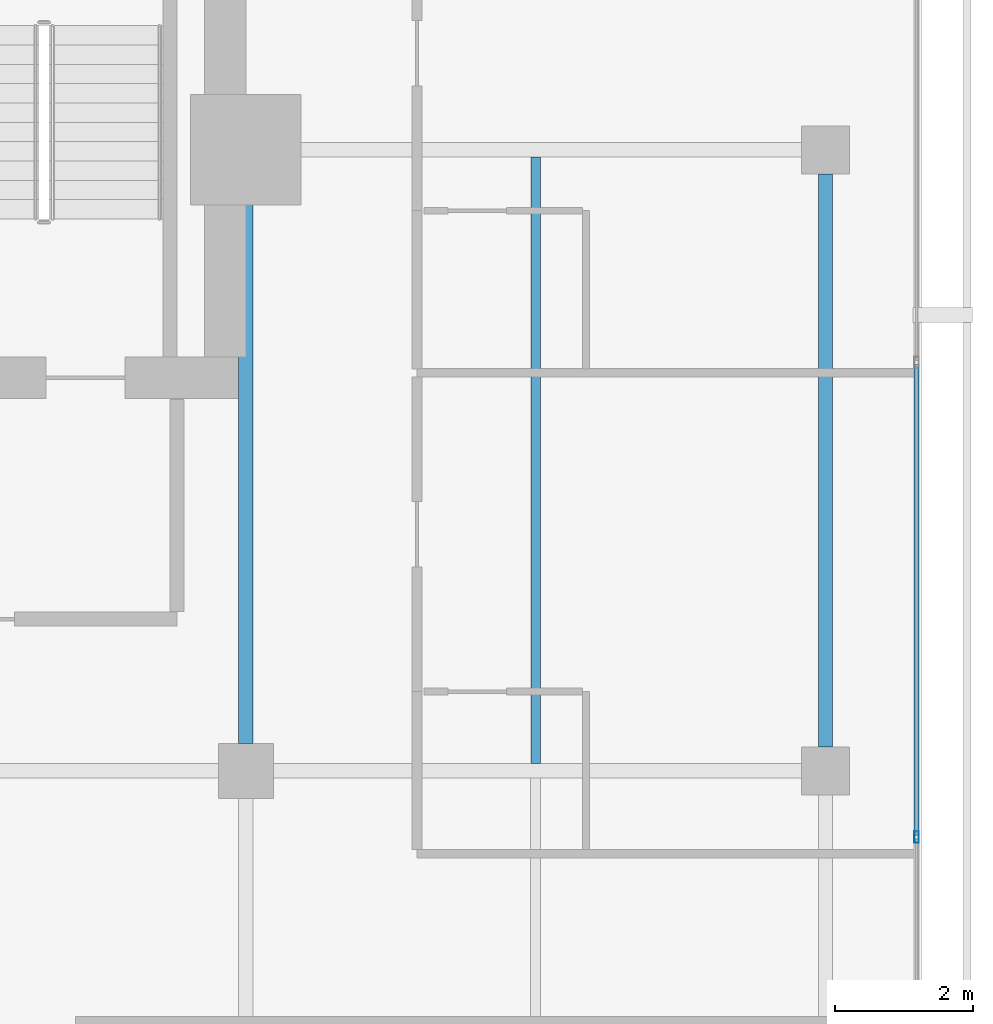
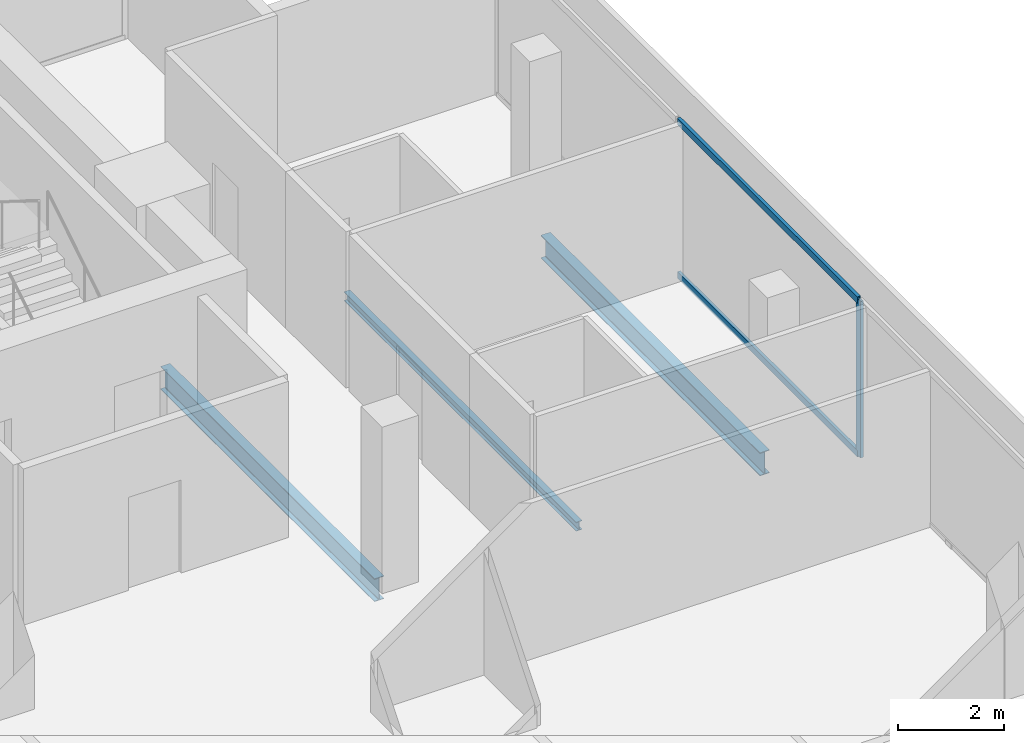
# One storey, part 15 of 26: 3 beams, 3 members, 1 element without a shape of its own.
"""IFC4 building model written with IfcOpenShell, lengths in metres."""

from ifc_helpers import new_model, si_unit, direction, frame, origin, origin_2d, place, context, subcontext, project, spatial, hollow_rectangle, i_section, extrude, material, layer, layer_set, material_profile, profile_set, type_object, element, aggregate, save


model = new_model("IFC4")

# Units and contexts
model_context = context("Model", 3, precision=1e-05, world=origin(), true_north=direction((0.0, 1.0)))
body_context = subcontext(model_context, "Body", "Model", "MODEL_VIEW")
ifc_project = project(units=[si_unit("LENGTHUNIT", "METRE"), si_unit("AREAUNIT", "SQUARE_METRE"), si_unit("VOLUMEUNIT", "CUBIC_METRE"), si_unit("PLANEANGLEUNIT", "RADIAN"), si_unit("MASSUNIT", "GRAM", prefix="KILO")], contexts=[model_context])

# Site, building, storey
site_placement = place(None, origin())
site = spatial("IfcSite", under=ifc_project, at=site_placement, CompositionType="ELEMENT")
building_placement = place(site_placement, origin())
building = spatial("IfcBuilding", under=site, at=building_placement, Name="Maruvema Waterfront Hotel and Observation Tower", CompositionType="ELEMENT")
storey_placement = place(building_placement, frame((0.0, 0.0, 243.25)))
storey = spatial("IfcBuildingStorey", under=building, at=storey_placement, Name="L59", CompositionType="ELEMENT", Elevation=243.25)

# Curtain wall, members
ifc_material_1 = material(Name="Anodised bronze aluminium and solar-control low-E IGU", Category="aluminium")
ifc_layer = layer(ifc_material_1, 0.159912109375, Name="Zone 3 Champagne Inner Thermal Curtain Wall System CW-04")
ifc_layer_set = layer_set([ifc_layer], Name="Anodised bronze aluminium and solar-control low-E IGU")
curtain_wall_type = type_object("IfcCurtainWallType", Name="Zone 3 Champagne Inner Thermal Curtain Wall System CW-04", PredefinedType="USERDEFINED", material=ifc_layer_set)
curtain_wall_placement = place(storey_placement, origin())
curtain_wall = element("IfcCurtainWall", 1, at=curtain_wall_placement, inside=storey, type_object=curtain_wall_type, Name="L59 Curtain Wall CW-L59-E", ObjectType="UNITISED CURTAIN WALL", PredefinedType="USERDEFINED")
ifc_material_2 = material(Name="Anodised architectural bronze aluminium", Category="aluminium")
ifc_material_profile_1 = material_profile(ifc_material_2, hollow_rectangle(XDim=0.070068359375, YDim=0.14990234375, WallThickness=0.00390625, at=origin_2d()), Name="ALU-T70x150")
ifc_profile_set_1 = profile_set([ifc_material_profile_1], Name="Anodised architectural bronze aluminium")
member_type_1 = type_object("IfcMemberType", Name="Curtain Wall Horizontal Transom ALU-T70x150", PredefinedType="USERDEFINED", material=ifc_profile_set_1)
member_1_placement = place(storey_placement, frame((60.1201171875, 35.070068359375, 0.030029296875), z_axis=(0.0, 1.0, 0.0), x_axis=(-1.0, 0.0, 0.0)))
member_1 = element("IfcMember", 2, at=member_1_placement, type_object=member_type_1, Name="CW-04 transom 4.1", ObjectType="TRANSOM", PredefinedType="USERDEFINED", context=body_context, shape_type="SweptSolid", body=[
    extrude(hollow_rectangle(XDim=0.070068359375, YDim=0.14990234375, WallThickness=0.00390625, at=origin_2d()), origin(), (0.0, 0.0, 1.0), 6.81982421875),
])
member_2_placement = place(storey_placement, frame((60.1201171875, 35.070068359375, 3.580078125), z_axis=(0.0, 1.0, 0.0), x_axis=(-1.0, 0.0, 0.0)))
member_2 = element("IfcMember", 3, at=member_2_placement, type_object=member_type_1, Name="CW-04 transom 4.2", ObjectType="TRANSOM", PredefinedType="USERDEFINED", context=body_context, shape_type="SweptSolid", body=[
    extrude(hollow_rectangle(XDim=0.070068359375, YDim=0.14990234375, WallThickness=0.00390625, at=origin_2d()), origin(), (0.0, 0.0, 1.0), 6.81982421875),
])
ifc_material_3 = material(Name="Anodised architectural bronze aluminium", Category="aluminium")
ifc_material_profile_2 = material_profile(ifc_material_3, hollow_rectangle(XDim=0.06494140625, YDim=0.1650390625, WallThickness=0.00390625, at=origin_2d()), Name="ALU-M65x165")
ifc_profile_set_2 = profile_set([ifc_material_profile_2], Name="Anodised architectural bronze aluminium")
member_type_2 = type_object("IfcMemberType", Name="Curtain Wall Primary Mullion ALU-M65x165", PredefinedType="MULLION", material=ifc_profile_set_2)
member_3_placement = place(storey_placement, frame((60.1201171875, 35.0400390625, 0.0), z_axis=(0.0, 0.0, 1.0), x_axis=(-1.0, 0.0, 0.0)))
member_3 = element("IfcMember", 4, at=member_3_placement, type_object=member_type_2, Name="CW-04 mullion 4", PredefinedType="MULLION", context=body_context, shape_type="SweptSolid", body=[
    extrude(hollow_rectangle(XDim=0.06494140625, YDim=0.1650390625, WallThickness=0.00390625, at=origin_2d()), origin(), (0.0, 0.0, 1.0), 3.610107421875),
])
aggregate(curtain_wall, [member_3, member_1, member_2])

# Beams
ifc_material_4 = material(Name="Steel ASTM A572 Grade 50", Category="steel")
ifc_material_profile_3 = material_profile(ifc_material_4, i_section(OverallWidth=0.208984375, OverallDepth=0.532958984375, WebThickness=0.01025390625, FlangeThickness=0.015625, FilletRadius=0.014892578125, at=origin_2d()), Name="W530x92.0")
ifc_profile_set_3 = profile_set([ifc_material_profile_3], Name="Steel ASTM A572 Grade 50")
beam_type_1 = type_object("IfcBeamType", Name="Primary Floor Girder W530x92.0", PredefinedType="BEAM", material=ifc_profile_set_3)
beam_1_placement = place(storey_placement, frame((50.39990234375, 36.39990234375, -0.506591796875), z_axis=(0.0, 1.0, 0.0), x_axis=(-1.0, 0.0, 0.0)))
element("IfcBeam", 5, at=beam_1_placement, inside=storey, type_object=beam_type_1, Name="L59 Floor Girder NS-15", PredefinedType="BEAM", context=body_context, shape_type="SweptSolid", body=[
    extrude(i_section(OverallWidth=0.208984375, OverallDepth=0.532958984375, WebThickness=0.01025390625, FlangeThickness=0.015625, FilletRadius=0.014892578125, at=origin_2d()), origin(), (0.0, 0.0, 1.0), 8.10009765625),
])
beam_2_placement = place(storey_placement, frame((58.800048828125, 36.35009765625, -0.506591796875), z_axis=(0.0, 1.0, 0.0), x_axis=(-1.0, 0.0, 0.0)))
element("IfcBeam", 6, at=beam_2_placement, inside=storey, type_object=beam_type_1, Name="L59 Floor Girder NS-18", PredefinedType="BEAM", context=body_context, shape_type="SweptSolid", body=[
    extrude(i_section(OverallWidth=0.208984375, OverallDepth=0.532958984375, WebThickness=0.01025390625, FlangeThickness=0.015625, FilletRadius=0.014892578125, at=origin_2d()), origin(), (0.0, 0.0, 1.0), 8.2998046875),
])
ifc_material_5 = material(Name="Steel ASTM A572 Grade 50", Category="steel")
ifc_material_profile_4 = material_profile(ifc_material_5, i_section(OverallWidth=0.133056640625, OverallDepth=0.20703125, WebThickness=0.005859375, FlangeThickness=0.00830078125, FilletRadius=0.010009765625, at=origin_2d()), Name="W200x26.6")
ifc_profile_set_4 = profile_set([ifc_material_profile_4], Name="Steel ASTM A572 Grade 50")
beam_type_2 = type_object("IfcBeamType", Name="Secondary Floor Joist W200x26.6", PredefinedType="JOIST", material=ifc_profile_set_4)
beam_3_placement = place(storey_placement, frame((54.60009765625, 36.1044921875, -0.343505859375), z_axis=(0.0, 1.0, 0.0), x_axis=(-1.0, 0.0, 0.0)))
element("IfcBeam", 7, at=beam_3_placement, inside=storey, type_object=beam_type_2, Name="L59 Secondary Floor Joist JS-09", PredefinedType="JOIST", context=body_context, shape_type="SweptSolid", body=[
    extrude(i_section(OverallWidth=0.133056640625, OverallDepth=0.20703125, WebThickness=0.005859375, FlangeThickness=0.00830078125, FilletRadius=0.010009765625, at=origin_2d()), origin(), (0.0, 0.0, 1.0), 8.791015625),
])

save(model, "model.ifc")
